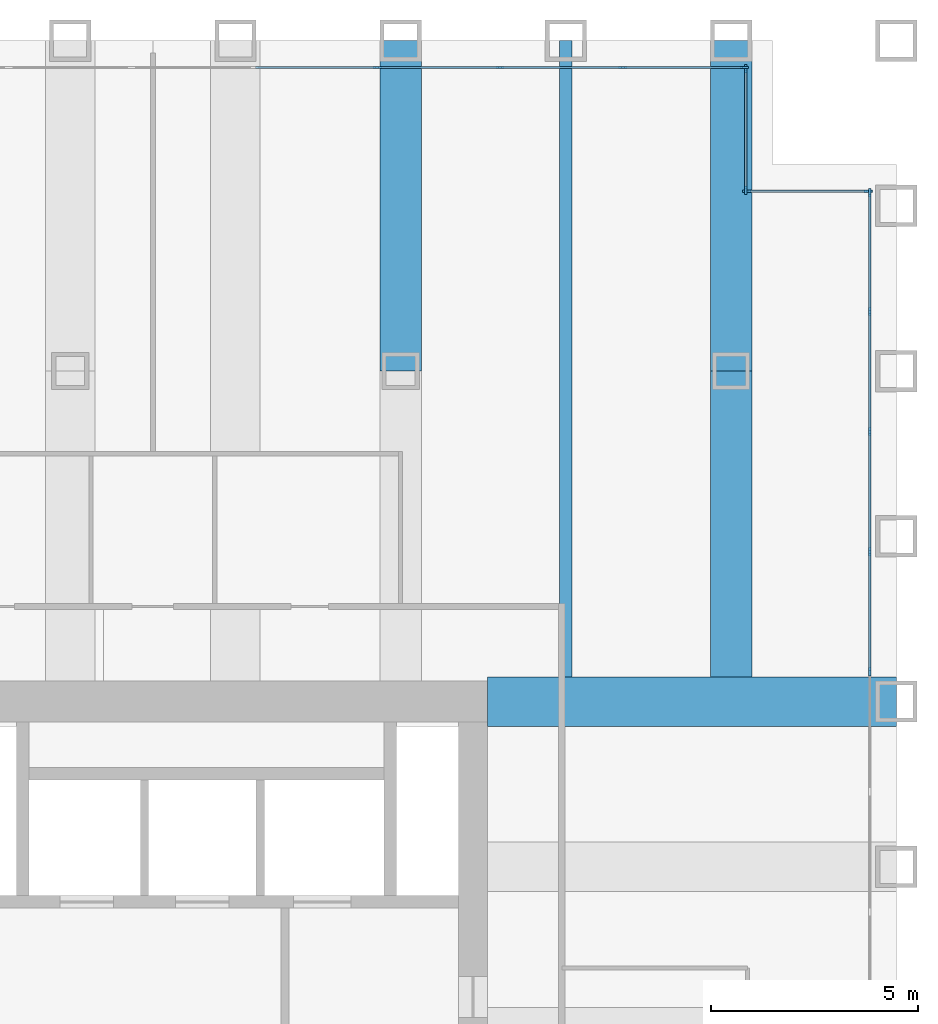
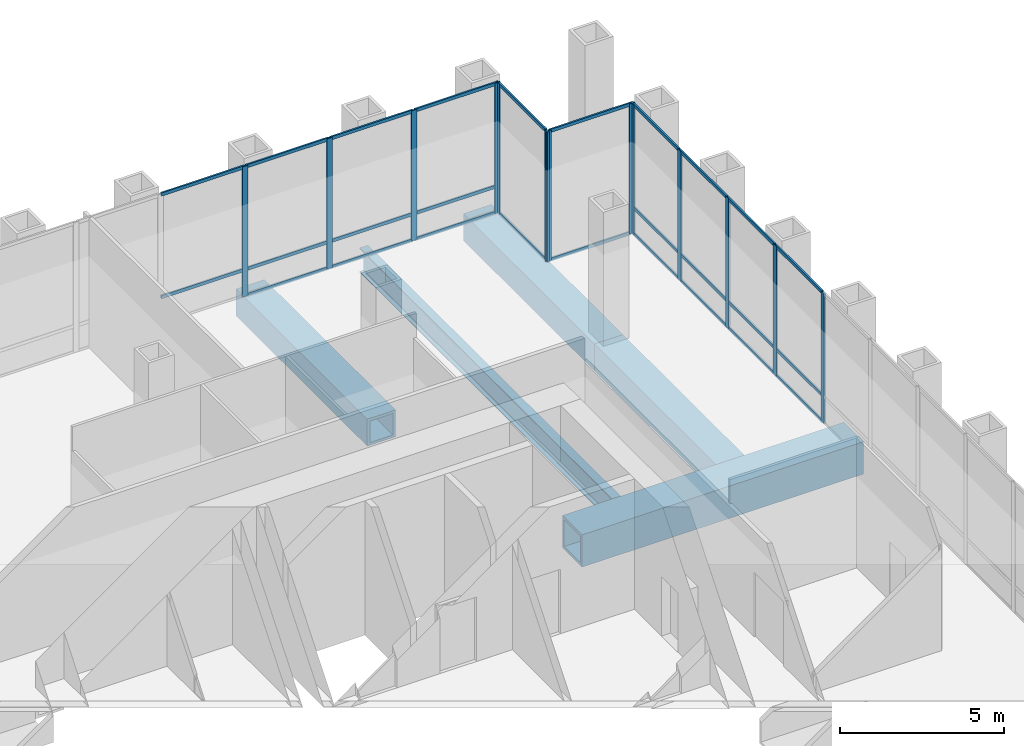
# One storey, part 7 of 13: 40 members, 5 beams, 4 elements without a shape of their own.
"""IFC4 building model written with IfcOpenShell, lengths in metres."""

import ifcopenshell
import ifcopenshell.guid

model = None  # the IFC model being written
_history = None  # IfcOwnerHistory: only IFC2X3 demands one
_inside = {}  # id of a spatial element -> (the spatial element, [elements in it])
_under = {}  # id of a project, library or spatial element -> (it, [spatial elements below it])
_declared = {}  # id of a project -> (the project, [libraries it declares])
_typed = {}  # id of a type object -> (the type object, [elements of that type])
_made_of = {}  # id of a material, layer set ... -> (it, [elements and type objects made of it])


def new_model(schema):
    """Start an empty IFC model of exactly this schema.

    Asked for "IFC4X3", IfcOpenShell would pick the latest addendum, in which some entities
    have other attributes; the version numbers below select the first issue.
    IFC2X3 requires an IfcOwnerHistory on every rooted entity: one is made here for all.
    """
    global model, _history
    if schema == "IFC4X3":
        model = ifcopenshell.file(schema_version=(4, 3, 0, 0))
    else:
        model = ifcopenshell.file(schema=schema)
    _inside.clear()
    _under.clear()
    _declared.clear()
    _typed.clear()
    _made_of.clear()
    _history = None
    if model.schema == "IFC2X3":
        org = make("IfcOrganization", Name="unknown")
        user = make(
            "IfcPersonAndOrganization",
            ThePerson=make("IfcPerson", FamilyName="unknown"),
            TheOrganization=org,
        )
        app = make(
            "IfcApplication",
            ApplicationDeveloper=org,
            Version="unknown",
            ApplicationFullName="unknown",
            ApplicationIdentifier="unknown",
        )
        _history = make(
            "IfcOwnerHistory",
            OwningUser=user,
            OwningApplication=app,
            ChangeAction="ADDED",
            CreationDate=0,
        )
    return model


def make(cls, **values):
    """One entity of the class cls with the attributes given. An attribute that is None is left unset."""
    return model.create_entity(
        cls, **{name: value for name, value in values.items() if value is not None}
    )


def rooted(cls, **values):
    """An entity with a GlobalId (a new one), such as an element, a storey or a relation."""
    return make(cls, GlobalId=ifcopenshell.guid.new(), OwnerHistory=_history, **values)


def si_unit(unit_type, name, prefix=None):
    """IfcSIUnit, for example si_unit("LENGTHUNIT", "METRE", prefix="MILLI")."""
    return make("IfcSIUnit", UnitType=unit_type, Prefix=prefix, Name=name)


def assignment(units):
    """IfcUnitAssignment: the units of a project."""
    return None if units is None else make("IfcUnitAssignment", Units=units)


def point(xyz):
    """IfcCartesianPoint."""
    return None if xyz is None else make("IfcCartesianPoint", Coordinates=xyz)


def direction(xyz):
    """IfcDirection."""
    return None if xyz is None else make("IfcDirection", DirectionRatios=xyz)


def frame(location, z_axis=None, x_axis=None):
    """IfcAxis2Placement3D, a coordinate frame: its origin and axes. An axis left out is left unset."""
    return make(
        "IfcAxis2Placement3D",
        Location=point(location),
        Axis=direction(z_axis),
        RefDirection=direction(x_axis),
    )


def frame_2d(location, x_axis=None):
    """IfcAxis2Placement2D, a coordinate frame in the plane: its origin and x axis."""
    return make(
        "IfcAxis2Placement2D", Location=point(location), RefDirection=direction(x_axis)
    )


def origin():
    """The frame at (0, 0, 0) with its axes left unset."""
    return frame((0.0, 0.0, 0.0))


def origin_2d():
    """The frame at (0, 0) in the plane with its x axis left unset."""
    return frame_2d((0.0, 0.0))


def place(relative_to, where):
    """IfcLocalPlacement: puts the frame where relative to a parent placement (None: the world)."""
    return make(
        "IfcLocalPlacement", PlacementRelTo=relative_to, RelativePlacement=where
    )


def context(
    kind, dimensions, precision=None, world=None, true_north=None, identifier=None
):
    """IfcGeometricRepresentationContext, for example the 3D "Model" context."""
    return make(
        "IfcGeometricRepresentationContext",
        ContextIdentifier=identifier,
        ContextType=kind,
        CoordinateSpaceDimension=dimensions,
        Precision=precision,
        WorldCoordinateSystem=world,
        TrueNorth=true_north,
    )


def subcontext(parent, identifier, kind, view, scale=None):
    """IfcGeometricRepresentationSubContext, for example "Body" below "Model"."""
    return make(
        "IfcGeometricRepresentationSubContext",
        ContextIdentifier=identifier,
        ContextType=kind,
        ParentContext=parent,
        TargetScale=scale,
        TargetView=view,
    )


def project(units=None, contexts=None):
    """IfcProject with its units and contexts."""
    return rooted(
        "IfcProject",
        Name="project",
        RepresentationContexts=contexts,
        UnitsInContext=assignment(units),
    )


def spatial(cls, under=None, at=None, **own):
    """A site, building, storey or space (cls), placed at a placement, below another one or the project."""
    s = rooted(cls, ObjectPlacement=at, **own)
    if under is not None:
        _under.setdefault(under.id(), (under, []))[1].append(s)
    return s


def profile(cls, at=None, kind="AREA", **sizes):
    """A parametric profile (cls). Its sizes go by their IFC names, for example OverallWidth=200.0."""
    return make(cls, ProfileType=kind, Position=at, **sizes)


def rectangle(**sizes):
    """IfcRectangleProfileDef."""
    return profile("IfcRectangleProfileDef", **sizes)


def hollow_rectangle(**sizes):
    """IfcRectangleHollowProfileDef."""
    return profile("IfcRectangleHollowProfileDef", **sizes)


def i_section(**sizes):
    """IfcIShapeProfileDef."""
    return profile("IfcIShapeProfileDef", **sizes)


def extrude(swept, where, along, depth):
    """IfcExtrudedAreaSolid: the profile swept, set in the frame where, extruded along a direction by depth."""
    return make(
        "IfcExtrudedAreaSolid",
        SweptArea=swept,
        Position=where,
        ExtrudedDirection=direction(along),
        Depth=depth,
    )


def shape(context_of_items, identifier, shape_type, items):
    """IfcShapeRepresentation: the items that make up one representation, for example the "Body"."""
    return make(
        "IfcShapeRepresentation",
        ContextOfItems=context_of_items,
        RepresentationIdentifier=identifier,
        RepresentationType=shape_type,
        Items=items,
    )


def material(Name=None, Category=None):
    """IfcMaterial."""
    return make("IfcMaterial", Name=Name, Category=Category)


def material_profile(
    of_material, cross_section, Name=None, Category=None, Priority=None
):
    """IfcMaterialProfile: a cross section and its material."""
    return make(
        "IfcMaterialProfile",
        Name=Name,
        Material=of_material,
        Profile=cross_section,
        Priority=Priority,
        Category=Category,
    )


def profile_set(profiles, Name=None, composite=None):
    """IfcMaterialProfileSet."""
    return make(
        "IfcMaterialProfileSet",
        Name=Name,
        MaterialProfiles=profiles,
        CompositeProfile=composite,
    )


def made_of(thing, what):
    """Note that an element or type object is made of a material, layer set ...; save() writes the relation."""
    if what is not None:
        _made_of.setdefault(what.id(), (what, []))[1].append(thing)
    return thing


def type_object(cls, material=None, **own):
    """A type object (cls), such as IfcWallType, which elements share."""
    return made_of(rooted(cls, **own), material)


def element(
    cls,
    number,
    at=None,
    inside=None,
    cuts=None,
    type_object=None,
    material=None,
    context=None,
    identifier="Body",
    shape_type=None,
    held_by="IfcProductDefinitionShape",
    body=None,
    shapes=None,
    **own,
):
    """One element of the class cls, such as IfcWall. Its Tag is "e" and its number.

    at: its placement. inside: the storey or other place that contains it. cuts: it is an
    opening in that element (IfcRelVoidsElement). A single representation is given by context,
    identifier, shape_type and body (its items); several are given by shapes. held_by: the class
    of the entity that holds the representations. save() writes the other relations.
    """
    e = rooted(cls, Tag="e%d" % number, ObjectPlacement=at, **own)
    if body is not None:
        shapes = [shape(context, identifier, shape_type, body)]
    if shapes is not None:
        e.Representation = make(held_by, Representations=shapes)
    if inside is not None:
        _inside.setdefault(inside.id(), (inside, []))[1].append(e)
    if cuts is not None:
        rooted(
            "IfcRelVoidsElement", RelatingBuildingElement=cuts, RelatedOpeningElement=e
        )
    if type_object is not None:
        _typed.setdefault(type_object.id(), (type_object, []))[1].append(e)
    return made_of(e, material)


def aggregate(whole, parts):
    """IfcRelAggregates: a whole, such as a stair, and the parts it consists of."""
    return rooted("IfcRelAggregates", RelatingObject=whole, RelatedObjects=parts)


def save(model, path):
    """Write the relations noted so far, then the file.

    IfcRelAggregates (storeys below a building ...), IfcRelContainedInSpatialStructure (elements
    in a storey), IfcRelDefinesByType, IfcRelAssociatesMaterial and IfcRelDeclares: one each for
    every whole, place, type object, material and project.
    """
    for whole, parts in _under.values():
        aggregate(whole, parts)
    for where, things in _inside.values():
        rooted(
            "IfcRelContainedInSpatialStructure",
            RelatedElements=things,
            RelatingStructure=where,
        )
    for kind, things in _typed.values():
        rooted("IfcRelDefinesByType", RelatedObjects=things, RelatingType=kind)
    for what, things in _made_of.values():
        rooted("IfcRelAssociatesMaterial", RelatedObjects=things, RelatingMaterial=what)
    for by, libraries in _declared.values():
        rooted("IfcRelDeclares", RelatingContext=by, RelatedDefinitions=libraries)
    model.write(path)


model = new_model("IFC4")

# Units and contexts
model_context = context("Model", 3, precision=1e-05, world=origin(), true_north=direction((0.0, 1.0)))
body_context = subcontext(model_context, "Body", "Model", "MODEL_VIEW")
ifc_project = project(units=[si_unit("LENGTHUNIT", "METRE"), si_unit("AREAUNIT", "SQUARE_METRE"), si_unit("VOLUMEUNIT", "CUBIC_METRE"), si_unit("PLANEANGLEUNIT", "RADIAN"), si_unit("MASSUNIT", "GRAM", prefix="KILO")], contexts=[model_context])

# Site, building, storey
site_placement = place(None, origin())
site = spatial("IfcSite", under=ifc_project, at=site_placement, CompositionType="ELEMENT")
building_placement = place(site_placement, origin())
building = spatial("IfcBuilding", under=site, at=building_placement, Name="Rimbunsela Tower", CompositionType="ELEMENT")
storey_placement = place(building_placement, frame((0.0, 0.0, 142.800048828125)))
storey = spatial("IfcBuildingStorey", under=building, at=storey_placement, Name="L34", CompositionType="ELEMENT", Elevation=142.800048828125)

# Beams
ifc_material_1 = material(Name="Steel BJ 55 (fy 410 MPa)", Category="steel")
ifc_material_profile_1 = material_profile(ifc_material_1, hollow_rectangle(XDim=1.0, YDim=1.0, WallThickness=0.10009765625, at=origin_2d()), Name="BOX 1000x1000x100")
ifc_profile_set_1 = profile_set([ifc_material_profile_1], Name="Steel BJ 55 (fy 410 MPa)")
beam_type_1 = type_object("IfcBeamType", Name="Beam BOX 1000x1000x100", PredefinedType="BEAM", material=ifc_profile_set_1)
beam_1_placement = place(storey_placement, frame((34.0, 44.0, -0.650146484375), z_axis=(0.0, 1.0, 0.0), x_axis=(-1.0, 0.0, 0.0)))
element("IfcBeam", 1, at=beam_1_placement, inside=storey, type_object=beam_type_1, Name="Beam B3 L34", PredefinedType="BEAM", context=body_context, shape_type="SweptSolid", body=[
    extrude(hollow_rectangle(XDim=1.0, YDim=1.0, WallThickness=0.10009765625, at=origin_2d()), origin(), (0.0, 0.0, 1.0), 8.0),
])
beam_2_placement = place(storey_placement, frame((42.0, 36.60009765625, -0.650146484375), z_axis=(0.0, 1.0, 0.0), x_axis=(-1.0, 0.0, 0.0)))
element("IfcBeam", 2, at=beam_2_placement, inside=storey, type_object=beam_type_1, Name="Beam B3 L34", PredefinedType="BEAM", context=body_context, shape_type="SweptSolid", body=[
    extrude(hollow_rectangle(XDim=1.0, YDim=1.0, WallThickness=0.10009765625, at=origin_2d()), origin(), (0.0, 0.0, 1.0), 7.39990234375),
])
beam_3_placement = place(storey_placement, frame((42.0, 44.0, -0.650146484375), z_axis=(0.0, 1.0, 0.0), x_axis=(-1.0, 0.0, 0.0)))
element("IfcBeam", 3, at=beam_3_placement, inside=storey, type_object=beam_type_1, Name="Beam B3 L34", PredefinedType="BEAM", context=body_context, shape_type="SweptSolid", body=[
    extrude(hollow_rectangle(XDim=1.0, YDim=1.0, WallThickness=0.10009765625, at=origin_2d()), origin(), (0.0, 0.0, 1.0), 8.0),
])
ifc_material_2 = material(Name="Steel BJ 55 (fy 410 MPa)", Category="steel")
ifc_material_profile_2 = material_profile(ifc_material_2, hollow_rectangle(XDim=1.199951171875, YDim=1.199951171875, WallThickness=0.10009765625, at=origin_2d()), Name="BOX 1200x1200x100")
ifc_profile_set_2 = profile_set([ifc_material_profile_2], Name="Steel BJ 55 (fy 410 MPa)")
beam_type_2 = type_object("IfcBeamType", Name="Beam BOX 1200x1200x100", PredefinedType="BEAM", material=ifc_profile_set_2)
beam_4_placement = place(storey_placement, frame((36.10009765625, 36.0, -0.75), z_axis=(1.0, 0.0, 0.0), x_axis=(0.0, 1.0, 0.0)))
element("IfcBeam", 4, at=beam_4_placement, inside=storey, type_object=beam_type_2, Name="Beam B5 L34", PredefinedType="BEAM", context=body_context, shape_type="SweptSolid", body=[
    extrude(hollow_rectangle(XDim=1.199951171875, YDim=1.199951171875, WallThickness=0.10009765625, at=origin_2d()), origin(), (0.0, 0.0, 1.0), 9.89990234375),
])
ifc_material_3 = material(Name="Steel BJ 55 (fy 410 MPa)", Category="steel")
ifc_material_profile_3 = material_profile(ifc_material_3, i_section(OverallWidth=0.300048828125, OverallDepth=0.89990234375, WebThickness=0.01611328125, FlangeThickness=0.028076171875, FilletRadius=0.028076171875, at=origin_2d()), Name="H 900x300x16x28")
ifc_profile_set_3 = profile_set([ifc_material_profile_3], Name="Steel BJ 55 (fy 410 MPa)")
beam_type_3 = type_object("IfcBeamType", Name="Beam H 900x300x16x28", PredefinedType="BEAM", material=ifc_profile_set_3)
beam_5_placement = place(storey_placement, frame((38.0, 36.60009765625, -0.60009765625), z_axis=(0.0, 1.0, 0.0), x_axis=(-1.0, 0.0, 0.0)))
element("IfcBeam", 5, at=beam_5_placement, inside=storey, type_object=beam_type_3, Name="Beam B2 L34", PredefinedType="BEAM", context=body_context, shape_type="SweptSolid", body=[
    extrude(i_section(OverallWidth=0.300048828125, OverallDepth=0.89990234375, WebThickness=0.01611328125, FlangeThickness=0.028076171875, FilletRadius=0.028076171875, at=origin_2d()), origin(), (0.0, 0.0, 1.0), 15.39990234375),
])

# Curtain wall, members
ifc_material_4 = material(Name="Aluminium curtain wall", Category="aluminium")
curtain_wall_type_1 = type_object("IfcCurtainWallType", Name="Sky lobby glazing", PredefinedType="USERDEFINED", material=ifc_material_4)
curtain_wall_1_placement = place(storey_placement, origin())
curtain_wall_1 = element("IfcCurtainWall", 6, at=curtain_wall_1_placement, inside=storey, type_object=curtain_wall_type_1, Name="Sky lobby glazing L34", ObjectType="SKY LOBBY GLAZING", PredefinedType="USERDEFINED")
ifc_material_5 = material(Name="Aluminium mullion", Category="aluminium")
ifc_material_profile_4 = material_profile(ifc_material_5, rectangle(XDim=0.06005859375, YDim=0.199951171875, at=origin_2d()), Name="Mullion 60x200")
ifc_profile_set_4 = profile_set([ifc_material_profile_4], Name="Aluminium mullion")
member_type_1 = type_object("IfcMemberType", Name="Curtain wall mullion 60x200", PredefinedType="MULLION", material=ifc_profile_set_4)
member_1_placement = place(storey_placement, frame((45.35009765625, 36.721435546875, 0.0), z_axis=(0.0, 0.0, 1.0), x_axis=(-1.0, 0.0, 0.0)))
member_1 = element("IfcMember", 7, at=member_1_placement, type_object=member_type_1, Name="CW4 mullion 11", PredefinedType="MULLION", context=body_context, shape_type="SweptSolid", body=[
    extrude(rectangle(XDim=0.06005859375, YDim=0.199951171875, at=origin_2d()), origin(), (0.0, 0.0, 1.0), 4.849853515625),
])
member_2_placement = place(storey_placement, frame((45.35009765625, 39.628662109375, 0.0), z_axis=(0.0, 0.0, 1.0), x_axis=(-1.0, 0.0, 0.0)))
member_2 = element("IfcMember", 8, at=member_2_placement, type_object=member_type_1, Name="CW4 mullion 12", PredefinedType="MULLION", context=body_context, shape_type="SweptSolid", body=[
    extrude(rectangle(XDim=0.06005859375, YDim=0.199951171875, at=origin_2d()), origin(), (0.0, 0.0, 1.0), 4.849853515625),
])
member_3_placement = place(storey_placement, frame((45.35009765625, 42.53564453125, 0.0), z_axis=(0.0, 0.0, 1.0), x_axis=(-1.0, 0.0, 0.0)))
member_3 = element("IfcMember", 9, at=member_3_placement, type_object=member_type_1, Name="CW4 mullion 13", PredefinedType="MULLION", context=body_context, shape_type="SweptSolid", body=[
    extrude(rectangle(XDim=0.06005859375, YDim=0.199951171875, at=origin_2d()), origin(), (0.0, 0.0, 1.0), 4.849853515625),
])
member_4_placement = place(storey_placement, frame((45.35009765625, 45.44287109375, 0.0), z_axis=(0.0, 0.0, 1.0), x_axis=(-1.0, 0.0, 0.0)))
member_4 = element("IfcMember", 10, at=member_4_placement, type_object=member_type_1, Name="CW4 mullion 14", PredefinedType="MULLION", context=body_context, shape_type="SweptSolid", body=[
    extrude(rectangle(XDim=0.06005859375, YDim=0.199951171875, at=origin_2d()), origin(), (0.0, 0.0, 1.0), 4.849853515625),
])
member_5_placement = place(storey_placement, frame((45.35009765625, 48.320068359375, 0.0), z_axis=(0.0, 0.0, 1.0), x_axis=(-1.0, 0.0, 0.0)))
member_5 = element("IfcMember", 11, at=member_5_placement, type_object=member_type_1, Name="CW4 mullion 15", PredefinedType="MULLION", context=body_context, shape_type="SweptSolid", body=[
    extrude(rectangle(XDim=0.06005859375, YDim=0.199951171875, at=origin_2d()), origin(), (0.0, 0.0, 1.0), 4.849853515625),
])

ifc_material_6 = material(Name="Aluminium curtain wall", Category="aluminium")
curtain_wall_type_2 = type_object("IfcCurtainWallType", Name="Corner glazing", PredefinedType="USERDEFINED", material=ifc_material_6)
curtain_wall_2_placement = place(storey_placement, origin())
curtain_wall_2 = element("IfcCurtainWall", 12, at=curtain_wall_2_placement, inside=storey, type_object=curtain_wall_type_2, Name="Corner glazing L34", ObjectType="CORNER GLAZING", PredefinedType="USERDEFINED")
member_6_placement = place(storey_placement, frame((45.320068359375, 48.35009765625, 0.0), z_axis=(0.0, 0.0, 1.0), x_axis=(0.0, -1.0, 0.0)))
member_6 = element("IfcMember", 13, at=member_6_placement, type_object=member_type_1, Name="CW5 mullion 1", PredefinedType="MULLION", context=body_context, shape_type="SweptSolid", body=[
    extrude(rectangle(XDim=0.06005859375, YDim=0.199951171875, at=origin_2d()), origin(), (0.0, 0.0, 1.0), 4.849853515625),
])
member_7_placement = place(storey_placement, frame((42.3798828125, 48.35009765625, 0.0), z_axis=(0.0, 0.0, 1.0), x_axis=(0.0, -1.0, 0.0)))
member_7 = element("IfcMember", 14, at=member_7_placement, type_object=member_type_1, Name="CW5 mullion 2", PredefinedType="MULLION", context=body_context, shape_type="SweptSolid", body=[
    extrude(rectangle(XDim=0.06005859375, YDim=0.199951171875, at=origin_2d()), origin(), (0.0, 0.0, 1.0), 4.849853515625),
])

curtain_wall_3_placement = place(storey_placement, origin())
curtain_wall_3 = element("IfcCurtainWall", 15, at=curtain_wall_3_placement, inside=storey, type_object=curtain_wall_type_2, Name="Corner glazing L34", ObjectType="CORNER GLAZING", PredefinedType="USERDEFINED")
member_8_placement = place(storey_placement, frame((42.35009765625, 48.3798828125, 0.0), z_axis=(0.0, 0.0, 1.0), x_axis=(-1.0, 0.0, 0.0)))
member_8 = element("IfcMember", 16, at=member_8_placement, type_object=member_type_1, Name="CW5 mullion 1", PredefinedType="MULLION", context=body_context, shape_type="SweptSolid", body=[
    extrude(rectangle(XDim=0.06005859375, YDim=0.199951171875, at=origin_2d()), origin(), (0.0, 0.0, 1.0), 4.849853515625),
])
member_9_placement = place(storey_placement, frame((42.35009765625, 51.320068359375, 0.0), z_axis=(0.0, 0.0, 1.0), x_axis=(-1.0, 0.0, 0.0)))
member_9 = element("IfcMember", 17, at=member_9_placement, type_object=member_type_1, Name="CW5 mullion 2", PredefinedType="MULLION", context=body_context, shape_type="SweptSolid", body=[
    extrude(rectangle(XDim=0.06005859375, YDim=0.199951171875, at=origin_2d()), origin(), (0.0, 0.0, 1.0), 4.849853515625),
])

curtain_wall_4_placement = place(storey_placement, origin())
curtain_wall_4 = element("IfcCurtainWall", 18, at=curtain_wall_4_placement, inside=storey, type_object=curtain_wall_type_1, Name="Sky lobby glazing L34", ObjectType="SKY LOBBY GLAZING", PredefinedType="USERDEFINED")
member_10_placement = place(storey_placement, frame((42.320068359375, 51.35009765625, 0.0), z_axis=(0.0, 0.0, 1.0), x_axis=(0.0, -1.0, 0.0)))
member_10 = element("IfcMember", 19, at=member_10_placement, type_object=member_type_1, Name="CW4 mullion 1", PredefinedType="MULLION", context=body_context, shape_type="SweptSolid", body=[
    extrude(rectangle(XDim=0.06005859375, YDim=0.199951171875, at=origin_2d()), origin(), (0.0, 0.0, 1.0), 4.849853515625),
])
member_11_placement = place(storey_placement, frame((39.377197265625, 51.35009765625, 0.0), z_axis=(0.0, 0.0, 1.0), x_axis=(0.0, -1.0, 0.0)))
member_11 = element("IfcMember", 20, at=member_11_placement, type_object=member_type_1, Name="CW4 mullion 2", PredefinedType="MULLION", context=body_context, shape_type="SweptSolid", body=[
    extrude(rectangle(XDim=0.06005859375, YDim=0.199951171875, at=origin_2d()), origin(), (0.0, 0.0, 1.0), 4.849853515625),
])
member_12_placement = place(storey_placement, frame((36.404541015625, 51.35009765625, 0.0), z_axis=(0.0, 0.0, 1.0), x_axis=(0.0, -1.0, 0.0)))
member_12 = element("IfcMember", 21, at=member_12_placement, type_object=member_type_1, Name="CW4 mullion 3", PredefinedType="MULLION", context=body_context, shape_type="SweptSolid", body=[
    extrude(rectangle(XDim=0.06005859375, YDim=0.199951171875, at=origin_2d()), origin(), (0.0, 0.0, 1.0), 4.849853515625),
])
member_13_placement = place(storey_placement, frame((33.431884765625, 51.35009765625, 0.0), z_axis=(0.0, 0.0, 1.0), x_axis=(0.0, -1.0, 0.0)))
member_13 = element("IfcMember", 22, at=member_13_placement, type_object=member_type_1, Name="CW4 mullion 4", PredefinedType="MULLION", context=body_context, shape_type="SweptSolid", body=[
    extrude(rectangle(XDim=0.06005859375, YDim=0.199951171875, at=origin_2d()), origin(), (0.0, 0.0, 1.0), 4.849853515625),
])

# Member
ifc_material_7 = material(Name="Aluminium transom", Category="aluminium")
ifc_material_profile_5 = material_profile(ifc_material_7, rectangle(XDim=0.06005859375, YDim=0.1201171875, at=origin_2d()), Name="Transom 60x120")
ifc_profile_set_5 = profile_set([ifc_material_profile_5], Name="Aluminium transom")
member_type_2 = type_object("IfcMemberType", Name="Curtain wall transom 60x120", PredefinedType="USERDEFINED", material=ifc_profile_set_5)
member_14_placement = place(storey_placement, frame((45.35009765625, 36.75146484375, 0.030029296875), z_axis=(0.0, 1.0, 0.0), x_axis=(-1.0, 0.0, 0.0)))
member_14 = element("IfcMember", 23, at=member_14_placement, type_object=member_type_2, Name="CW4 transom 11.1", ObjectType="TRANSOM", PredefinedType="USERDEFINED", context=body_context, shape_type="SweptSolid", body=[
    extrude(rectangle(XDim=0.06005859375, YDim=0.1201171875, at=origin_2d()), origin(), (0.0, 0.0, 1.0), 2.84716796875),
])

member_15_placement = place(storey_placement, frame((45.35009765625, 36.75146484375, 1.0), z_axis=(0.0, 1.0, 0.0), x_axis=(-1.0, 0.0, 0.0)))
member_15 = element("IfcMember", 24, at=member_15_placement, type_object=member_type_2, Name="CW4 transom 11.2", ObjectType="TRANSOM", PredefinedType="USERDEFINED", context=body_context, shape_type="SweptSolid", body=[
    extrude(rectangle(XDim=0.06005859375, YDim=0.1201171875, at=origin_2d()), origin(), (0.0, 0.0, 1.0), 2.84716796875),
])

member_16_placement = place(storey_placement, frame((45.35009765625, 36.75146484375, 4.820068359375), z_axis=(0.0, 1.0, 0.0), x_axis=(-1.0, 0.0, 0.0)))
member_16 = element("IfcMember", 25, at=member_16_placement, type_object=member_type_2, Name="CW4 transom 11.3", ObjectType="TRANSOM", PredefinedType="USERDEFINED", context=body_context, shape_type="SweptSolid", body=[
    extrude(rectangle(XDim=0.06005859375, YDim=0.1201171875, at=origin_2d()), origin(), (0.0, 0.0, 1.0), 2.84716796875),
])

member_17_placement = place(storey_placement, frame((45.35009765625, 39.65869140625, 0.030029296875), z_axis=(0.0, 1.0, 0.0), x_axis=(-1.0, 0.0, 0.0)))
member_17 = element("IfcMember", 26, at=member_17_placement, type_object=member_type_2, Name="CW4 transom 12.1", ObjectType="TRANSOM", PredefinedType="USERDEFINED", context=body_context, shape_type="SweptSolid", body=[
    extrude(rectangle(XDim=0.06005859375, YDim=0.1201171875, at=origin_2d()), origin(), (0.0, 0.0, 1.0), 2.846923828125),
])

member_18_placement = place(storey_placement, frame((45.35009765625, 39.65869140625, 1.0), z_axis=(0.0, 1.0, 0.0), x_axis=(-1.0, 0.0, 0.0)))
member_18 = element("IfcMember", 27, at=member_18_placement, type_object=member_type_2, Name="CW4 transom 12.2", ObjectType="TRANSOM", PredefinedType="USERDEFINED", context=body_context, shape_type="SweptSolid", body=[
    extrude(rectangle(XDim=0.06005859375, YDim=0.1201171875, at=origin_2d()), origin(), (0.0, 0.0, 1.0), 2.846923828125),
])

member_19_placement = place(storey_placement, frame((45.35009765625, 39.65869140625, 4.820068359375), z_axis=(0.0, 1.0, 0.0), x_axis=(-1.0, 0.0, 0.0)))
member_19 = element("IfcMember", 28, at=member_19_placement, type_object=member_type_2, Name="CW4 transom 12.3", ObjectType="TRANSOM", PredefinedType="USERDEFINED", context=body_context, shape_type="SweptSolid", body=[
    extrude(rectangle(XDim=0.06005859375, YDim=0.1201171875, at=origin_2d()), origin(), (0.0, 0.0, 1.0), 2.846923828125),
])

member_20_placement = place(storey_placement, frame((45.35009765625, 42.565673828125, 0.030029296875), z_axis=(0.0, 1.0, 0.0), x_axis=(-1.0, 0.0, 0.0)))
member_20 = element("IfcMember", 29, at=member_20_placement, type_object=member_type_2, Name="CW4 transom 13.1", ObjectType="TRANSOM", PredefinedType="USERDEFINED", context=body_context, shape_type="SweptSolid", body=[
    extrude(rectangle(XDim=0.06005859375, YDim=0.1201171875, at=origin_2d()), origin(), (0.0, 0.0, 1.0), 2.84716796875),
])

member_21_placement = place(storey_placement, frame((45.35009765625, 42.565673828125, 1.0), z_axis=(0.0, 1.0, 0.0), x_axis=(-1.0, 0.0, 0.0)))
member_21 = element("IfcMember", 30, at=member_21_placement, type_object=member_type_2, Name="CW4 transom 13.2", ObjectType="TRANSOM", PredefinedType="USERDEFINED", context=body_context, shape_type="SweptSolid", body=[
    extrude(rectangle(XDim=0.06005859375, YDim=0.1201171875, at=origin_2d()), origin(), (0.0, 0.0, 1.0), 2.84716796875),
])

member_22_placement = place(storey_placement, frame((45.35009765625, 42.565673828125, 4.820068359375), z_axis=(0.0, 1.0, 0.0), x_axis=(-1.0, 0.0, 0.0)))
member_22 = element("IfcMember", 31, at=member_22_placement, type_object=member_type_2, Name="CW4 transom 13.3", ObjectType="TRANSOM", PredefinedType="USERDEFINED", context=body_context, shape_type="SweptSolid", body=[
    extrude(rectangle(XDim=0.06005859375, YDim=0.1201171875, at=origin_2d()), origin(), (0.0, 0.0, 1.0), 2.84716796875),
])

member_23_placement = place(storey_placement, frame((45.35009765625, 45.472900390625, 0.030029296875), z_axis=(0.0, 1.0, 0.0), x_axis=(-1.0, 0.0, 0.0)))
member_23 = element("IfcMember", 32, at=member_23_placement, type_object=member_type_2, Name="CW4 transom 14.1", ObjectType="TRANSOM", PredefinedType="USERDEFINED", context=body_context, shape_type="SweptSolid", body=[
    extrude(rectangle(XDim=0.06005859375, YDim=0.1201171875, at=origin_2d()), origin(), (0.0, 0.0, 1.0), 2.817138671875),
])

member_24_placement = place(storey_placement, frame((45.35009765625, 45.472900390625, 1.0), z_axis=(0.0, 1.0, 0.0), x_axis=(-1.0, 0.0, 0.0)))
member_24 = element("IfcMember", 33, at=member_24_placement, type_object=member_type_2, Name="CW4 transom 14.2", ObjectType="TRANSOM", PredefinedType="USERDEFINED", context=body_context, shape_type="SweptSolid", body=[
    extrude(rectangle(XDim=0.06005859375, YDim=0.1201171875, at=origin_2d()), origin(), (0.0, 0.0, 1.0), 2.817138671875),
])

member_25_placement = place(storey_placement, frame((45.35009765625, 45.472900390625, 4.820068359375), z_axis=(0.0, 1.0, 0.0), x_axis=(-1.0, 0.0, 0.0)))
member_25 = element("IfcMember", 34, at=member_25_placement, type_object=member_type_2, Name="CW4 transom 14.3", ObjectType="TRANSOM", PredefinedType="USERDEFINED", context=body_context, shape_type="SweptSolid", body=[
    extrude(rectangle(XDim=0.06005859375, YDim=0.1201171875, at=origin_2d()), origin(), (0.0, 0.0, 1.0), 2.817138671875),
])

aggregate(curtain_wall_1, [member_1, member_2, member_3, member_4, member_5, member_14, member_15, member_16, member_17, member_18, member_19, member_20, member_21, member_22, member_23, member_24, member_25])

member_26_placement = place(storey_placement, frame((45.2900390625, 48.35009765625, 0.030029296875), z_axis=(-1.0, 0.0, 0.0), x_axis=(0.0, -1.0, 0.0)))
member_26 = element("IfcMember", 35, at=member_26_placement, type_object=member_type_2, Name="CW5 transom 1.1", ObjectType="TRANSOM", PredefinedType="USERDEFINED", context=body_context, shape_type="SweptSolid", body=[
    extrude(rectangle(XDim=0.06005859375, YDim=0.1201171875, at=origin_2d()), origin(), (0.0, 0.0, 1.0), 2.880126953125),
])

member_27_placement = place(storey_placement, frame((45.2900390625, 48.35009765625, 4.820068359375), z_axis=(-1.0, 0.0, 0.0), x_axis=(0.0, -1.0, 0.0)))
member_27 = element("IfcMember", 36, at=member_27_placement, type_object=member_type_2, Name="CW5 transom 1.2", ObjectType="TRANSOM", PredefinedType="USERDEFINED", context=body_context, shape_type="SweptSolid", body=[
    extrude(rectangle(XDim=0.06005859375, YDim=0.1201171875, at=origin_2d()), origin(), (0.0, 0.0, 1.0), 2.880126953125),
])

aggregate(curtain_wall_2, [member_6, member_7, member_26, member_27])

member_28_placement = place(storey_placement, frame((42.35009765625, 48.409912109375, 0.030029296875), z_axis=(0.0, 1.0, 0.0), x_axis=(-1.0, 0.0, 0.0)))
member_28 = element("IfcMember", 37, at=member_28_placement, type_object=member_type_2, Name="CW5 transom 1.1", ObjectType="TRANSOM", PredefinedType="USERDEFINED", context=body_context, shape_type="SweptSolid", body=[
    extrude(rectangle(XDim=0.06005859375, YDim=0.1201171875, at=origin_2d()), origin(), (0.0, 0.0, 1.0), 2.880126953125),
])

member_29_placement = place(storey_placement, frame((42.35009765625, 48.409912109375, 4.820068359375), z_axis=(0.0, 1.0, 0.0), x_axis=(-1.0, 0.0, 0.0)))
member_29 = element("IfcMember", 38, at=member_29_placement, type_object=member_type_2, Name="CW5 transom 1.2", ObjectType="TRANSOM", PredefinedType="USERDEFINED", context=body_context, shape_type="SweptSolid", body=[
    extrude(rectangle(XDim=0.06005859375, YDim=0.1201171875, at=origin_2d()), origin(), (0.0, 0.0, 1.0), 2.880126953125),
])

aggregate(curtain_wall_3, [member_8, member_9, member_28, member_29])

member_30_placement = place(storey_placement, frame((42.2900390625, 51.35009765625, 0.030029296875), z_axis=(-1.0, 0.0, 0.0), x_axis=(0.0, -1.0, 0.0)))
member_30 = element("IfcMember", 39, at=member_30_placement, type_object=member_type_2, Name="CW4 transom 1.1", ObjectType="TRANSOM", PredefinedType="USERDEFINED", context=body_context, shape_type="SweptSolid", body=[
    extrude(rectangle(XDim=0.06005859375, YDim=0.1201171875, at=origin_2d()), origin(), (0.0, 0.0, 1.0), 2.8828125),
])

member_31_placement = place(storey_placement, frame((42.2900390625, 51.35009765625, 1.0), z_axis=(-1.0, 0.0, 0.0), x_axis=(0.0, -1.0, 0.0)))
member_31 = element("IfcMember", 40, at=member_31_placement, type_object=member_type_2, Name="CW4 transom 1.2", ObjectType="TRANSOM", PredefinedType="USERDEFINED", context=body_context, shape_type="SweptSolid", body=[
    extrude(rectangle(XDim=0.06005859375, YDim=0.1201171875, at=origin_2d()), origin(), (0.0, 0.0, 1.0), 2.8828125),
])

member_32_placement = place(storey_placement, frame((42.2900390625, 51.35009765625, 4.820068359375), z_axis=(-1.0, 0.0, 0.0), x_axis=(0.0, -1.0, 0.0)))
member_32 = element("IfcMember", 41, at=member_32_placement, type_object=member_type_2, Name="CW4 transom 1.3", ObjectType="TRANSOM", PredefinedType="USERDEFINED", context=body_context, shape_type="SweptSolid", body=[
    extrude(rectangle(XDim=0.06005859375, YDim=0.1201171875, at=origin_2d()), origin(), (0.0, 0.0, 1.0), 2.8828125),
])

member_33_placement = place(storey_placement, frame((39.34716796875, 51.35009765625, 0.030029296875), z_axis=(-1.0, 0.0, 0.0), x_axis=(0.0, -1.0, 0.0)))
member_33 = element("IfcMember", 42, at=member_33_placement, type_object=member_type_2, Name="CW4 transom 2.1", ObjectType="TRANSOM", PredefinedType="USERDEFINED", context=body_context, shape_type="SweptSolid", body=[
    extrude(rectangle(XDim=0.06005859375, YDim=0.1201171875, at=origin_2d()), origin(), (0.0, 0.0, 1.0), 2.91259765625),
])

member_34_placement = place(storey_placement, frame((39.34716796875, 51.35009765625, 1.0), z_axis=(-1.0, 0.0, 0.0), x_axis=(0.0, -1.0, 0.0)))
member_34 = element("IfcMember", 43, at=member_34_placement, type_object=member_type_2, Name="CW4 transom 2.2", ObjectType="TRANSOM", PredefinedType="USERDEFINED", context=body_context, shape_type="SweptSolid", body=[
    extrude(rectangle(XDim=0.06005859375, YDim=0.1201171875, at=origin_2d()), origin(), (0.0, 0.0, 1.0), 2.91259765625),
])

member_35_placement = place(storey_placement, frame((39.34716796875, 51.35009765625, 4.820068359375), z_axis=(-1.0, 0.0, 0.0), x_axis=(0.0, -1.0, 0.0)))
member_35 = element("IfcMember", 44, at=member_35_placement, type_object=member_type_2, Name="CW4 transom 2.3", ObjectType="TRANSOM", PredefinedType="USERDEFINED", context=body_context, shape_type="SweptSolid", body=[
    extrude(rectangle(XDim=0.06005859375, YDim=0.1201171875, at=origin_2d()), origin(), (0.0, 0.0, 1.0), 2.91259765625),
])

member_36_placement = place(storey_placement, frame((36.37451171875, 51.35009765625, 0.030029296875), z_axis=(-1.0, 0.0, 0.0), x_axis=(0.0, -1.0, 0.0)))
member_36 = element("IfcMember", 45, at=member_36_placement, type_object=member_type_2, Name="CW4 transom 3.1", ObjectType="TRANSOM", PredefinedType="USERDEFINED", context=body_context, shape_type="SweptSolid", body=[
    extrude(rectangle(XDim=0.06005859375, YDim=0.1201171875, at=origin_2d()), origin(), (0.0, 0.0, 1.0), 2.91259765625),
])

member_37_placement = place(storey_placement, frame((36.37451171875, 51.35009765625, 1.0), z_axis=(-1.0, 0.0, 0.0), x_axis=(0.0, -1.0, 0.0)))
member_37 = element("IfcMember", 46, at=member_37_placement, type_object=member_type_2, Name="CW4 transom 3.2", ObjectType="TRANSOM", PredefinedType="USERDEFINED", context=body_context, shape_type="SweptSolid", body=[
    extrude(rectangle(XDim=0.06005859375, YDim=0.1201171875, at=origin_2d()), origin(), (0.0, 0.0, 1.0), 2.91259765625),
])

member_38_placement = place(storey_placement, frame((36.37451171875, 51.35009765625, 4.820068359375), z_axis=(-1.0, 0.0, 0.0), x_axis=(0.0, -1.0, 0.0)))
member_38 = element("IfcMember", 47, at=member_38_placement, type_object=member_type_2, Name="CW4 transom 3.3", ObjectType="TRANSOM", PredefinedType="USERDEFINED", context=body_context, shape_type="SweptSolid", body=[
    extrude(rectangle(XDim=0.06005859375, YDim=0.1201171875, at=origin_2d()), origin(), (0.0, 0.0, 1.0), 2.91259765625),
])

member_39_placement = place(storey_placement, frame((33.40185546875, 51.35009765625, 1.0), z_axis=(-1.0, 0.0, 0.0), x_axis=(0.0, -1.0, 0.0)))
member_39 = element("IfcMember", 48, at=member_39_placement, type_object=member_type_2, Name="CW4 transom 4.2", ObjectType="TRANSOM", PredefinedType="USERDEFINED", context=body_context, shape_type="SweptSolid", body=[
    extrude(rectangle(XDim=0.06005859375, YDim=0.1201171875, at=origin_2d()), origin(), (0.0, 0.0, 1.0), 2.912841796875),
])

member_40_placement = place(storey_placement, frame((33.40185546875, 51.35009765625, 4.820068359375), z_axis=(-1.0, 0.0, 0.0), x_axis=(0.0, -1.0, 0.0)))
member_40 = element("IfcMember", 49, at=member_40_placement, type_object=member_type_2, Name="CW4 transom 4.3", ObjectType="TRANSOM", PredefinedType="USERDEFINED", context=body_context, shape_type="SweptSolid", body=[
    extrude(rectangle(XDim=0.06005859375, YDim=0.1201171875, at=origin_2d()), origin(), (0.0, 0.0, 1.0), 2.912841796875),
])

aggregate(curtain_wall_4, [member_10, member_11, member_12, member_13, member_30, member_31, member_32, member_33, member_34, member_35, member_36, member_37, member_38, member_39, member_40])

save(model, "model.ifc")
